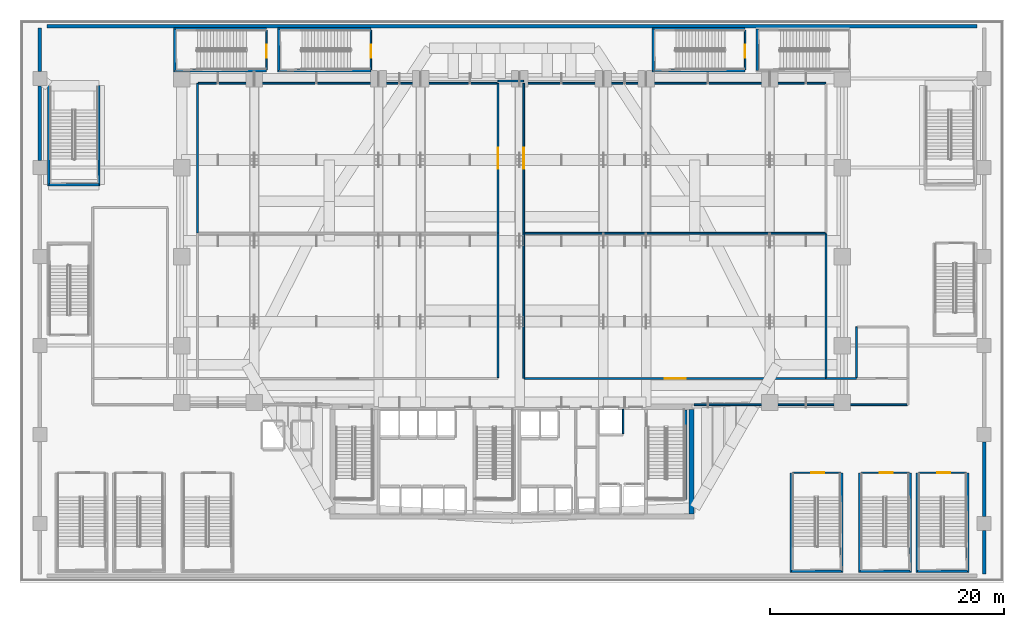
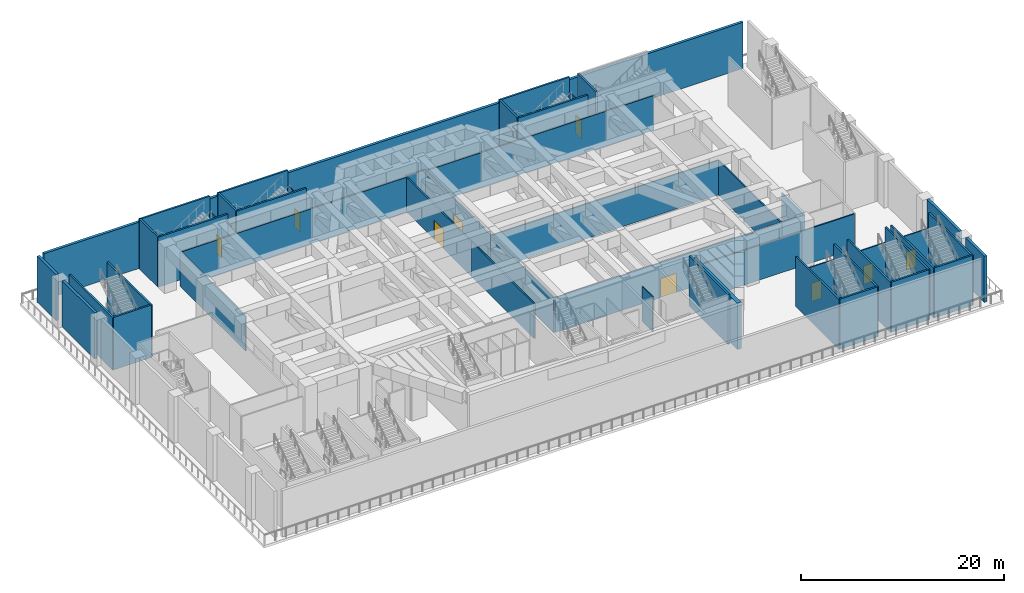
# One storey, part 11 of 27: 50 walls, 9 doors, 9 openings.
"""IFC4 building model written with IfcOpenShell, lengths in metres."""

from ifc_helpers import new_model, si_unit, direction, frame, frame_2d, origin, place, context, subcontext, project, spatial, rectangle, extrude, material, layer, layer_set, type_object, element, fill, save


model = new_model("IFC4")

# Units and contexts
model_context = context("Model", 3, precision=1e-05, world=origin(), true_north=direction((0.0, 1.0)))
body_context = subcontext(model_context, "Body", "Model", "MODEL_VIEW")
ifc_project = project(units=[si_unit("LENGTHUNIT", "METRE"), si_unit("AREAUNIT", "SQUARE_METRE"), si_unit("VOLUMEUNIT", "CUBIC_METRE"), si_unit("PLANEANGLEUNIT", "RADIAN"), si_unit("MASSUNIT", "GRAM", prefix="KILO")], contexts=[model_context])

# Site, building, storey
site_placement = place(None, origin())
site = spatial("IfcSite", under=ifc_project, at=site_placement, CompositionType="ELEMENT")
building_placement = place(site_placement, origin())
building = spatial("IfcBuilding", under=site, at=building_placement, Name="Ndaravel Arena Tower", CompositionType="ELEMENT")
storey_placement = place(building_placement, frame((0.0, 0.0, 24.0)))
storey = spatial("IfcBuildingStorey", under=building, at=storey_placement, Name="L04", CompositionType="ELEMENT", Elevation=24.0)

# Walls
ifc_material_1 = material(Name="Gypsum", Category="gypsum")
ifc_layer_1 = layer(ifc_material_1, 0.14990234375)
ifc_layer_set_1 = layer_set([ifc_layer_1], Name="Gypsum")
wall_type_1 = type_object("IfcWallType", Name="WALL-COMP-150", PredefinedType="PARTITIONING", material=ifc_layer_set_1)
wall_1_placement = place(storey_placement, frame((75.735107421875, 15.14990234375, 0.0), z_axis=(0.0, 0.0, 1.0), x_axis=(-1.0, 0.0, 0.0)))
element("IfcWall", 1, at=wall_1_placement, inside=storey, type_object=wall_type_1, Name="L04 Interior Partition 002", PredefinedType="PARTITIONING", context=body_context, shape_type="SweptSolid", body=[
    extrude(rectangle(XDim=18.18505859375, YDim=0.14990234375, at=frame_2d((9.092529296875, 0.0))), origin(), (0.0, 0.0, 1.0), 4.169921875),
])
wall_2_placement = place(storey_placement, frame((40.800048828125, 17.465087890625, 0.0), z_axis=(0.0, 0.0, 1.0), x_axis=(0.0, 1.0, 0.0)))
element("IfcWall", 2, at=wall_2_placement, inside=storey, type_object=wall_type_1, Name="L04 Interior Partition 008", PredefinedType="PARTITIONING", context=body_context, shape_type="SweptSolid", body=[
    extrude(rectangle(XDim=12.3349609375, YDim=0.14990234375, at=frame_2d((6.16748046875, 0.0))), origin(), (0.0, 0.0, 1.0), 4.169921875),
])

# Wall, opening, door
wall_3_placement = place(storey_placement, frame((40.800048828125, 29.800048828125, 0.0), z_axis=(0.0, 0.0, 1.0), x_axis=(0.0, 1.0, 0.0)))
wall_3 = element("IfcWall", 3, at=wall_3_placement, inside=storey, type_object=wall_type_1, Name="L04 Interior Partition 009", PredefinedType="PARTITIONING", context=body_context, shape_type="SweptSolid", body=[
    extrude(rectangle(XDim=12.800048828125, YDim=0.14990234375, at=frame_2d((6.39990234375, 0.0))), origin(), (0.0, 0.0, 1.0), 4.169921875),
])
opening_1_placement = place(wall_3_placement, frame((5.5, 0.0, 0.0)))
opening_1 = element("IfcOpeningElement", 4, at=opening_1_placement, cuts=wall_3, Name="Opening PD-01", PredefinedType="OPENING", context=body_context, shape_type="SweptSolid", body=[
    extrude(rectangle(XDim=1.800048828125, YDim=2.300048828125, at=frame_2d((0.89990234375, 1.14990234375))), frame((0.0, 0.074951171875, 0.0), z_axis=(0.0, -1.0, 0.0), x_axis=(1.0, 0.0, 0.0)), (0.0, 0.0, 1.0), 0.14990234375),
])
ifc_material_2 = material(Name="Steel S355", Category="steel")
door_type_1 = type_object("IfcDoorType", Name="DT-09-PLANT-1800", OperationType="DOUBLE_DOOR_SINGLE_SWING", PredefinedType="DOOR", material=ifc_material_2)
door_1_placement = place(opening_1_placement, origin())
door_1 = element("IfcDoor", 5, at=door_1_placement, inside=storey, type_object=door_type_1, Name="L04 North Bowl Smoke Extract & Fan Plant Room Door", OperationType="SINGLE_SWING_LEFT", OverallHeight=2.300048828125, OverallWidth=1.800048828125, PredefinedType="DOOR", context=body_context, shape_type="SweptSolid", body=[
    extrude(rectangle(XDim=1.800048828125, YDim=2.300048828125, at=frame_2d((0.89990234375, 1.14990234375))), frame((0.0, 0.02490234375, 0.0), z_axis=(0.0, -1.0, 0.0), x_axis=(1.0, 0.0, 0.0)), (0.0, 0.0, 1.0), 0.050048828125),
])
fill(opening_1, door_1)

# Wall
wall_4_placement = place(storey_placement, frame((40.800048828125, 42.800048828125, 0.0), z_axis=(0.0, 0.0, 1.0), x_axis=(1.0, 0.0, 0.0)))
element("IfcWall", 6, at=wall_4_placement, inside=storey, type_object=wall_type_1, Name="L04 Interior Partition 010", PredefinedType="PARTITIONING", context=body_context, shape_type="SweptSolid", body=[
    extrude(rectangle(XDim=2.199951171875, YDim=0.14990234375, at=frame_2d((1.10009765625, 0.0))), origin(), (0.0, 0.0, 1.0), 4.169921875),
])

# Wall, opening, door
wall_5_placement = place(storey_placement, frame((43.0, 42.60009765625, 0.0), z_axis=(0.0, 0.0, 1.0), x_axis=(0.0, -1.0, 0.0)))
wall_5 = element("IfcWall", 7, at=wall_5_placement, inside=storey, type_object=wall_type_1, Name="L04 Interior Partition 011", PredefinedType="PARTITIONING", context=body_context, shape_type="SweptSolid", body=[
    extrude(rectangle(XDim=12.800048828125, YDim=0.14990234375, at=frame_2d((6.39990234375, 0.0))), origin(), (0.0, 0.0, 1.0), 4.169921875),
])
opening_2_placement = place(wall_5_placement, frame((5.5, 0.0, 0.0)))
opening_2 = element("IfcOpeningElement", 8, at=opening_2_placement, cuts=wall_5, Name="Opening PD-01", PredefinedType="OPENING", context=body_context, shape_type="SweptSolid", body=[
    extrude(rectangle(XDim=1.800048828125, YDim=2.300048828125, at=frame_2d((0.89990234375, 1.14990234375))), frame((0.0, 0.074951171875, 0.0), z_axis=(0.0, -1.0, 0.0), x_axis=(1.0, 0.0, 0.0)), (0.0, 0.0, 1.0), 0.14990234375),
])
door_2_placement = place(opening_2_placement, origin())
door_2 = element("IfcDoor", 9, at=door_2_placement, inside=storey, type_object=door_type_1, Name="L04 Transfer Level HV Switchroom & Acoustic Plant Door", OperationType="SINGLE_SWING_LEFT", OverallHeight=2.300048828125, OverallWidth=1.800048828125, PredefinedType="DOOR", context=body_context, shape_type="SweptSolid", body=[
    extrude(rectangle(XDim=1.800048828125, YDim=2.300048828125, at=frame_2d((0.89990234375, 1.14990234375))), frame((0.0, 0.02490234375, 0.0), z_axis=(0.0, -1.0, 0.0), x_axis=(1.0, 0.0, 0.0)), (0.0, 0.0, 1.0), 0.050048828125),
])
fill(opening_2, door_2)

# Wall
wall_6_placement = place(storey_placement, frame((43.0, 29.800048828125, 0.0), z_axis=(0.0, 0.0, 1.0), x_axis=(0.0, -1.0, 0.0)))
element("IfcWall", 10, at=wall_6_placement, inside=storey, type_object=wall_type_1, Name="L04 Interior Partition 012", PredefinedType="PARTITIONING", context=body_context, shape_type="SweptSolid", body=[
    extrude(rectangle(XDim=12.400146484375, YDim=0.14990234375, at=frame_2d((6.2001953125, 0.0))), origin(), (0.0, 0.0, 1.0), 4.169921875),
])

# Wall, opening, door
wall_7_placement = place(storey_placement, frame((43.06494140625, 17.39990234375, 0.0), z_axis=(0.0, 0.0, 1.0), x_axis=(1.0, 0.0, 0.0)))
wall_7 = element("IfcWall", 11, at=wall_7_placement, inside=storey, type_object=wall_type_1, Name="L04 Interior Partition 013", PredefinedType="PARTITIONING", context=body_context, shape_type="SweptSolid", body=[
    extrude(rectangle(XDim=25.735107421875, YDim=0.14990234375, at=frame_2d((12.86767578125, 0.0))), origin(), (0.0, 0.0, 1.0), 4.169921875),
])
opening_3_placement = place(wall_7_placement, frame((11.967529296875, 0.0, 0.0)))
opening_3 = element("IfcOpeningElement", 12, at=opening_3_placement, cuts=wall_7, Name="Opening PD-01", PredefinedType="OPENING", context=body_context, shape_type="SweptSolid", body=[
    extrude(rectangle(XDim=1.800048828125, YDim=2.300048828125, at=frame_2d((0.89990234375, 1.14990234375))), frame((0.0, 0.074951171875, 0.0), z_axis=(0.0, -1.0, 0.0), x_axis=(1.0, 0.0, 0.0)), (0.0, 0.0, 1.0), 0.14990234375),
])
door_3_placement = place(opening_3_placement, origin())
door_3 = element("IfcDoor", 13, at=door_3_placement, inside=storey, type_object=door_type_1, Name="L04 East Chiller & Heat Recovery Plant Room Door", OperationType="SINGLE_SWING_RIGHT", OverallHeight=2.300048828125, OverallWidth=1.800048828125, PredefinedType="DOOR", context=body_context, shape_type="SweptSolid", body=[
    extrude(rectangle(XDim=1.800048828125, YDim=2.300048828125, at=frame_2d((0.89990234375, 1.14990234375))), frame((0.0, 0.02490234375, 0.0), z_axis=(0.0, -1.0, 0.0), x_axis=(1.0, 0.0, 0.0)), (0.0, 0.0, 1.0), 0.050048828125),
])
fill(opening_3, door_3)

# Walls
wall_8_placement = place(storey_placement, frame((68.800048828125, 17.39990234375, 0.0), z_axis=(0.0, 0.0, 1.0), x_axis=(1.0, 0.0, 0.0)))
element("IfcWall", 14, at=wall_8_placement, inside=storey, type_object=wall_type_1, Name="L04 Interior Partition 014", PredefinedType="PARTITIONING", context=body_context, shape_type="SweptSolid", body=[
    extrude(rectangle(XDim=2.599853515625, YDim=0.14990234375, at=frame_2d((1.2998046875, 0.0))), origin(), (0.0, 0.0, 1.0), 4.169921875),
])
wall_9_placement = place(storey_placement, frame((15.14990234375, 29.800048828125, 0.0), z_axis=(0.0, 0.0, 1.0), x_axis=(0.0, 1.0, 0.0)))
element("IfcWall", 15, at=wall_9_placement, inside=storey, type_object=wall_type_1, Name="L04 Interior Partition 021", PredefinedType="PARTITIONING", context=body_context, shape_type="SweptSolid", body=[
    extrude(rectangle(XDim=12.800048828125, YDim=0.14990234375, at=frame_2d((6.39990234375, 0.0))), origin(), (0.0, 0.0, 1.0), 4.169921875),
])
wall_10_placement = place(storey_placement, frame((15.215087890625, 42.60009765625, 0.0), z_axis=(0.0, 0.0, 1.0), x_axis=(1.0, 0.0, 0.0)))
element("IfcWall", 16, at=wall_10_placement, inside=storey, type_object=wall_type_1, Name="L04 Interior Partition 022", PredefinedType="PARTITIONING", context=body_context, shape_type="SweptSolid", body=[
    extrude(rectangle(XDim=25.52001953125, YDim=0.14990234375, at=frame_2d((12.760009765625, 0.0))), origin(), (0.0, 0.0, 1.0), 4.169921875),
])
wall_11_placement = place(storey_placement, frame((43.06494140625, 29.800048828125, 0.0), z_axis=(0.0, 0.0, 1.0), x_axis=(1.0, 0.0, 0.0)))
element("IfcWall", 17, at=wall_11_placement, inside=storey, type_object=wall_type_1, Name="L04 Interior Partition 023", PredefinedType="PARTITIONING", context=body_context, shape_type="SweptSolid", body=[
    extrude(rectangle(XDim=25.735107421875, YDim=0.14990234375, at=frame_2d((12.86767578125, 0.0))), origin(), (0.0, 0.0, 1.0), 4.169921875),
])
wall_12_placement = place(storey_placement, frame((68.800048828125, 29.735107421875, 0.0), z_axis=(0.0, 0.0, 1.0), x_axis=(0.0, -1.0, 0.0)))
element("IfcWall", 18, at=wall_12_placement, inside=storey, type_object=wall_type_1, Name="L04 Interior Partition 024", PredefinedType="PARTITIONING", context=body_context, shape_type="SweptSolid", body=[
    extrude(rectangle(XDim=12.27001953125, YDim=0.14990234375, at=frame_2d((6.135009765625, 0.0))), origin(), (0.0, 0.0, 1.0), 4.169921875),
])
wall_13_placement = place(storey_placement, frame((43.06494140625, 42.60009765625, 0.0), z_axis=(0.0, 0.0, 1.0), x_axis=(1.0, 0.0, 0.0)))
element("IfcWall", 19, at=wall_13_placement, inside=storey, type_object=wall_type_1, Name="L04 Interior Partition 025", PredefinedType="PARTITIONING", context=body_context, shape_type="SweptSolid", body=[
    extrude(rectangle(XDim=25.735107421875, YDim=0.14990234375, at=frame_2d((12.86767578125, 0.0))), origin(), (0.0, 0.0, 1.0), 4.169921875),
])
wall_14_placement = place(storey_placement, frame((71.39990234375, 17.465087890625, 0.0), z_axis=(0.0, 0.0, 1.0), x_axis=(0.0, 1.0, 0.0)))
element("IfcWall", 20, at=wall_14_placement, inside=storey, type_object=wall_type_1, Name="L04 Interior Partition 027", PredefinedType="PARTITIONING", context=body_context, shape_type="SweptSolid", body=[
    extrude(rectangle(XDim=4.3349609375, YDim=0.14990234375, at=frame_2d((2.16748046875, 0.0))), origin(), (0.0, 0.0, 1.0), 4.169921875),
])
ifc_material_3 = material(Name="Concrete C60/75", Category="concrete")
ifc_layer_2 = layer(ifc_material_3, 0.449951171875)
ifc_layer_set_2 = layer_set([ifc_layer_2], Name="Concrete C60/75")
wall_type_2 = type_object("IfcWallType", Name="WALL-CORE-450", PredefinedType="SOLIDWALL", material=ifc_layer_set_2)
wall_15_placement = place(storey_placement, frame((57.324951171875, 5.85009765625, 0.0), z_axis=(0.0, 0.0, 1.0), x_axis=(0.0, 1.0, 0.0)))
element("IfcWall", 21, at=wall_15_placement, inside=storey, type_object=wall_type_2, Name="L04 Core East Shear Wall", PredefinedType="SOLIDWALL", context=body_context, shape_type="SweptSolid", body=[
    extrude(rectangle(XDim=8.89990234375, YDim=0.449951171875, at=frame_2d((4.449951171875, 0.0))), origin(), (0.0, 0.0, 1.0), 5.550048828125),
])
ifc_material_4 = material(Name="Masonry", Category="masonry")
ifc_layer_3 = layer(ifc_material_4, 0.300048828125)
ifc_layer_set_3 = layer_set([ifc_layer_3], Name="Masonry")
wall_type_3 = type_object("IfcWallType", Name="WALL-POD-MAZERAS-300", PredefinedType="SOLIDWALL", material=ifc_layer_set_3)
wall_16_placement = place(storey_placement, frame((2.300048828125, 47.449951171875, 0.0), z_axis=(0.0, 0.0, 1.0), x_axis=(1.0, 0.0, 0.0)))
element("IfcWall", 22, at=wall_16_placement, inside=storey, type_object=wall_type_3, Name="L04 North Mazeras Facade Wall", PredefinedType="SOLIDWALL", context=body_context, shape_type="SweptSolid", body=[
    extrude(rectangle(XDim=79.39990234375, YDim=0.300048828125, at=frame_2d((39.699951171875, 0.0))), origin(), (0.0, 0.0, 1.0), 5.550048828125),
])
wall_17_placement = place(storey_placement, frame((82.300048828125, 4.39990234375, 0.0), z_axis=(0.0, 0.0, 1.0), x_axis=(0.0, -1.0, 0.0)))
element("IfcWall", 23, at=wall_17_placement, inside=storey, type_object=wall_type_3, Name="L04 East Mazeras Bay 1", PredefinedType="SOLIDWALL", context=body_context, shape_type="SweptSolid", body=[
    extrude(rectangle(XDim=3.699951171875, YDim=0.300048828125, at=frame_2d((1.85009765625, 0.0))), origin(), (0.0, 0.0, 1.0), 5.550048828125),
])
for number, where, z_axis, x_axis, name in (
    (24, (82.300048828125, 11.97998046875, 0.0), (0.0, 0.0, 1.0), (0.0, -1.0, 0.0), "L04 East Mazeras Bay 2"),
    (25, (1.699951171875, 36.02001953125, 0.0), (0.0, 0.0, 1.0), (0.0, 1.0, 0.0), "L04 West Mazeras Bay 6"),
):
    element("IfcWall", number, at=place(storey_placement, frame(where, z_axis=z_axis, x_axis=x_axis)), inside=storey, type_object=wall_type_3, Name=name, PredefinedType="SOLIDWALL", context=body_context, shape_type="SweptSolid", body=[
        extrude(rectangle(XDim=6.35986328125, YDim=0.300048828125, at=frame_2d((3.179931640625, 0.0))), origin(), (0.0, 0.0, 1.0), 5.550048828125),
    ])
wall_18_placement = place(storey_placement, frame((1.699951171875, 43.60009765625, 0.0), z_axis=(0.0, 0.0, 1.0), x_axis=(0.0, 1.0, 0.0)))
element("IfcWall", 26, at=wall_18_placement, inside=storey, type_object=wall_type_3, Name="L04 West Mazeras Bay 7", PredefinedType="SOLIDWALL", context=body_context, shape_type="SweptSolid", body=[
    extrude(rectangle(XDim=3.699951171875, YDim=0.300048828125, at=frame_2d((1.85009765625, 0.0))), origin(), (0.0, 0.0, 1.0), 5.550048828125),
])

# Wall, opening, door
ifc_material_5 = material(Name="Concrete C40/50", Category="concrete")
ifc_layer_4 = layer(ifc_material_5, 0.1201171875)
ifc_layer_set_4 = layer_set([ifc_layer_4], Name="Concrete C40/50")
wall_type_4 = type_object("IfcWallType", Name="WALL-SHAFT-120", PredefinedType="SOLIDWALL", material=ifc_layer_set_4)
wall_19_placement = place(storey_placement, frame((65.955078125, 9.35009765625, 0.0), z_axis=(0.0, 0.0, 1.0), x_axis=(1.0, 0.0, 0.0)))
wall_19 = element("IfcWall", 27, at=wall_19_placement, inside=storey, type_object=wall_type_4, Name="L04 ST-A04 Entry Wall", PredefinedType="SOLIDWALL", context=body_context, shape_type="SweptSolid", body=[
    extrude(rectangle(XDim=4.08984375, YDim=0.1201171875, at=frame_2d((2.044921875, 0.0))), origin(), (0.0, 0.0, 1.0), 4.169921875),
])
opening_4_placement = place(wall_19_placement, frame((1.60009765625, 0.0, 0.0)))
opening_4 = element("IfcOpeningElement", 28, at=opening_4_placement, cuts=wall_19, Name="Opening FD-01", PredefinedType="OPENING", context=body_context, shape_type="SweptSolid", body=[
    extrude(rectangle(XDim=1.10009765625, YDim=2.199951171875, at=frame_2d((0.550048828125, 1.10009765625))), frame((0.0, 0.06005859375, 0.0), z_axis=(0.0, -1.0, 0.0), x_axis=(1.0, 0.0, 0.0)), (0.0, 0.0, 1.0), 0.1201171875),
])
ifc_material_6 = material(Name="Steel S355", Category="steel")
door_type_2 = type_object("IfcDoorType", Name="DT-01-STAIR-1100", OperationType="SINGLE_SWING_LEFT", PredefinedType="DOOR", material=ifc_material_6)
door_4_placement = place(opening_4_placement, origin())
door_4 = element("IfcDoor", 29, at=door_4_placement, inside=storey, type_object=door_type_2, Name="L04 ST-A04 Fire Exit Stair Door", OperationType="SINGLE_SWING_LEFT", OverallHeight=2.199951171875, OverallWidth=1.10009765625, PredefinedType="DOOR", context=body_context, shape_type="SweptSolid", body=[
    extrude(rectangle(XDim=1.10009765625, YDim=2.199951171875, at=frame_2d((0.550048828125, 1.10009765625))), frame((0.0, 0.02490234375, 0.0), z_axis=(0.0, -1.0, 0.0), x_axis=(1.0, 0.0, 0.0)), (0.0, 0.0, 1.0), 0.050048828125),
])
fill(opening_4, door_4)

wall_20_placement = place(storey_placement, frame((71.804931640625, 9.35009765625, 0.0), z_axis=(0.0, 0.0, 1.0), x_axis=(1.0, 0.0, 0.0)))
wall_20 = element("IfcWall", 30, at=wall_20_placement, inside=storey, type_object=wall_type_4, Name="L04 ST-A05 Entry Wall", PredefinedType="SOLIDWALL", context=body_context, shape_type="SweptSolid", body=[
    extrude(rectangle(XDim=4.090087890625, YDim=0.1201171875, at=frame_2d((2.044921875, 0.0))), origin(), (0.0, 0.0, 1.0), 4.169921875),
])
opening_5_placement = place(wall_20_placement, frame((1.60009765625, 0.0, 0.0)))
opening_5 = element("IfcOpeningElement", 31, at=opening_5_placement, cuts=wall_20, Name="Opening FD-01", PredefinedType="OPENING", context=body_context, shape_type="SweptSolid", body=[
    extrude(rectangle(XDim=1.10009765625, YDim=2.199951171875, at=frame_2d((0.550048828125, 1.10009765625))), frame((0.0, 0.06005859375, 0.0), z_axis=(0.0, -1.0, 0.0), x_axis=(1.0, 0.0, 0.0)), (0.0, 0.0, 1.0), 0.1201171875),
])
door_5_placement = place(opening_5_placement, origin())
door_5 = element("IfcDoor", 32, at=door_5_placement, inside=storey, type_object=door_type_2, Name="L04 ST-A05 Fire Exit Stair Door", OperationType="SINGLE_SWING_LEFT", OverallHeight=2.199951171875, OverallWidth=1.10009765625, PredefinedType="DOOR", context=body_context, shape_type="SweptSolid", body=[
    extrude(rectangle(XDim=1.10009765625, YDim=2.199951171875, at=frame_2d((0.550048828125, 1.10009765625))), frame((0.0, 0.02490234375, 0.0), z_axis=(0.0, -1.0, 0.0), x_axis=(1.0, 0.0, 0.0)), (0.0, 0.0, 1.0), 0.050048828125),
])
fill(opening_5, door_5)

wall_21_placement = place(storey_placement, frame((76.705078125, 9.35009765625, 0.0), z_axis=(0.0, 0.0, 1.0), x_axis=(1.0, 0.0, 0.0)))
wall_21 = element("IfcWall", 33, at=wall_21_placement, inside=storey, type_object=wall_type_4, Name="L04 ST-A06 Entry Wall", PredefinedType="SOLIDWALL", context=body_context, shape_type="SweptSolid", body=[
    extrude(rectangle(XDim=4.08984375, YDim=0.1201171875, at=frame_2d((2.044921875, 0.0))), origin(), (0.0, 0.0, 1.0), 4.169921875),
])
opening_6_placement = place(wall_21_placement, frame((1.60009765625, 0.0, 0.0)))
opening_6 = element("IfcOpeningElement", 34, at=opening_6_placement, cuts=wall_21, Name="Opening FD-01", PredefinedType="OPENING", context=body_context, shape_type="SweptSolid", body=[
    extrude(rectangle(XDim=1.10009765625, YDim=2.199951171875, at=frame_2d((0.550048828125, 1.10009765625))), frame((0.0, 0.06005859375, 0.0), z_axis=(0.0, -1.0, 0.0), x_axis=(1.0, 0.0, 0.0)), (0.0, 0.0, 1.0), 0.1201171875),
])
door_6_placement = place(opening_6_placement, origin())
door_6 = element("IfcDoor", 35, at=door_6_placement, inside=storey, type_object=door_type_2, Name="L04 ST-A06 Fire Exit Stair Door", OperationType="SINGLE_SWING_LEFT", OverallHeight=2.199951171875, OverallWidth=1.10009765625, PredefinedType="DOOR", context=body_context, shape_type="SweptSolid", body=[
    extrude(rectangle(XDim=1.10009765625, YDim=2.199951171875, at=frame_2d((0.550048828125, 1.10009765625))), frame((0.0, 0.02490234375, 0.0), z_axis=(0.0, -1.0, 0.0), x_axis=(1.0, 0.0, 0.0)), (0.0, 0.0, 1.0), 0.050048828125),
])
fill(opening_6, door_6)

wall_22_placement = place(storey_placement, frame((21.050048828125, 47.135009765625, 0.0), z_axis=(0.0, 0.0, 1.0), x_axis=(0.0, -1.0, 0.0)))
wall_22 = element("IfcWall", 36, at=wall_22_placement, inside=storey, type_object=wall_type_4, Name="L04 ST-A08 Entry Wall", PredefinedType="SOLIDWALL", context=body_context, shape_type="SweptSolid", body=[
    extrude(rectangle(XDim=3.3701171875, YDim=0.1201171875, at=frame_2d((1.68505859375, 0.0))), origin(), (0.0, 0.0, 1.0), 4.169921875),
])
opening_7_placement = place(wall_22_placement, frame((1.239990234375, 0.0, 0.0)))
opening_7 = element("IfcOpeningElement", 37, at=opening_7_placement, cuts=wall_22, Name="Opening FD-01", PredefinedType="OPENING", context=body_context, shape_type="SweptSolid", body=[
    extrude(rectangle(XDim=1.10009765625, YDim=2.199951171875, at=frame_2d((0.550048828125, 1.10009765625))), frame((0.0, 0.06005859375, 0.0), z_axis=(0.0, -1.0, 0.0), x_axis=(1.0, 0.0, 0.0)), (0.0, 0.0, 1.0), 0.1201171875),
])
door_7_placement = place(opening_7_placement, origin())
door_7 = element("IfcDoor", 38, at=door_7_placement, inside=storey, type_object=door_type_2, Name="L04 ST-A08 Fire Exit Stair Door", OperationType="SINGLE_SWING_LEFT", OverallHeight=2.199951171875, OverallWidth=1.10009765625, PredefinedType="DOOR", context=body_context, shape_type="SweptSolid", body=[
    extrude(rectangle(XDim=1.10009765625, YDim=2.199951171875, at=frame_2d((0.550048828125, 1.10009765625))), frame((0.0, 0.02490234375, 0.0), z_axis=(0.0, -1.0, 0.0), x_axis=(1.0, 0.0, 0.0)), (0.0, 0.0, 1.0), 0.050048828125),
])
fill(opening_7, door_7)

wall_23_placement = place(storey_placement, frame((29.949951171875, 47.135009765625, 0.0), z_axis=(0.0, 0.0, 1.0), x_axis=(0.0, -1.0, 0.0)))
wall_23 = element("IfcWall", 39, at=wall_23_placement, inside=storey, type_object=wall_type_4, Name="L04 ST-A09 Entry Wall", PredefinedType="SOLIDWALL", context=body_context, shape_type="SweptSolid", body=[
    extrude(rectangle(XDim=3.3701171875, YDim=0.1201171875, at=frame_2d((1.68505859375, 0.0))), origin(), (0.0, 0.0, 1.0), 4.169921875),
])
opening_8_placement = place(wall_23_placement, frame((1.239990234375, 0.0, 0.0)))
opening_8 = element("IfcOpeningElement", 40, at=opening_8_placement, cuts=wall_23, Name="Opening FD-01", PredefinedType="OPENING", context=body_context, shape_type="SweptSolid", body=[
    extrude(rectangle(XDim=1.10009765625, YDim=2.199951171875, at=frame_2d((0.550048828125, 1.10009765625))), frame((0.0, 0.06005859375, 0.0), z_axis=(0.0, -1.0, 0.0), x_axis=(1.0, 0.0, 0.0)), (0.0, 0.0, 1.0), 0.1201171875),
])
door_8_placement = place(opening_8_placement, origin())
door_8 = element("IfcDoor", 41, at=door_8_placement, inside=storey, type_object=door_type_2, Name="L04 ST-A09 Fire Exit Stair Door", OperationType="SINGLE_SWING_LEFT", OverallHeight=2.199951171875, OverallWidth=1.10009765625, PredefinedType="DOOR", context=body_context, shape_type="SweptSolid", body=[
    extrude(rectangle(XDim=1.10009765625, YDim=2.199951171875, at=frame_2d((0.550048828125, 1.10009765625))), frame((0.0, 0.02490234375, 0.0), z_axis=(0.0, -1.0, 0.0), x_axis=(1.0, 0.0, 0.0)), (0.0, 0.0, 1.0), 0.050048828125),
])
fill(opening_8, door_8)

wall_24_placement = place(storey_placement, frame((61.89990234375, 47.135009765625, 0.0), z_axis=(0.0, 0.0, 1.0), x_axis=(0.0, -1.0, 0.0)))
wall_24 = element("IfcWall", 42, at=wall_24_placement, inside=storey, type_object=wall_type_4, Name="L04 ST-A10 Entry Wall", PredefinedType="SOLIDWALL", context=body_context, shape_type="SweptSolid", body=[
    extrude(rectangle(XDim=3.3701171875, YDim=0.1201171875, at=frame_2d((1.68505859375, 0.0))), origin(), (0.0, 0.0, 1.0), 4.169921875),
])
opening_9_placement = place(wall_24_placement, frame((1.239990234375, 0.0, 0.0)))
opening_9 = element("IfcOpeningElement", 43, at=opening_9_placement, cuts=wall_24, Name="Opening FD-01", PredefinedType="OPENING", context=body_context, shape_type="SweptSolid", body=[
    extrude(rectangle(XDim=1.10009765625, YDim=2.199951171875, at=frame_2d((0.550048828125, 1.10009765625))), frame((0.0, 0.06005859375, 0.0), z_axis=(0.0, -1.0, 0.0), x_axis=(1.0, 0.0, 0.0)), (0.0, 0.0, 1.0), 0.1201171875),
])
door_9_placement = place(opening_9_placement, origin())
door_9 = element("IfcDoor", 44, at=door_9_placement, inside=storey, type_object=door_type_2, Name="L04 ST-A10 Fire Exit Stair Door", OperationType="SINGLE_SWING_LEFT", OverallHeight=2.199951171875, OverallWidth=1.10009765625, PredefinedType="DOOR", context=body_context, shape_type="SweptSolid", body=[
    extrude(rectangle(XDim=1.10009765625, YDim=2.199951171875, at=frame_2d((0.550048828125, 1.10009765625))), frame((0.0, 0.02490234375, 0.0), z_axis=(0.0, -1.0, 0.0), x_axis=(1.0, 0.0, 0.0)), (0.0, 0.0, 1.0), 0.050048828125),
])
fill(opening_9, door_9)

# Walls
wall_25_placement = place(storey_placement, frame((51.47998046875, 12.68994140625, 0.0), z_axis=(0.0, 0.0, 1.0), x_axis=(0.0, 1.0, 0.0)))
element("IfcWall", 45, at=wall_25_placement, inside=storey, type_object=wall_type_4, Name="L04 SVL-1 Shaft E Wall", PredefinedType="SOLIDWALL", context=body_context, shape_type="SweptSolid", body=[
    extrude(rectangle(XDim=2.070068359375, YDim=0.1201171875, at=frame_2d((1.03515625, 0.0))), origin(), (0.0, 0.0, 1.0), 4.169921875),
])
ifc_material_7 = material(Name="Concrete C40/50", Category="concrete")
ifc_layer_5 = layer(ifc_material_7, 0.199951171875)
ifc_layer_set_5 = layer_set([ifc_layer_5], Name="Concrete C40/50")
wall_type_5 = type_object("IfcWallType", Name="WALL-SHAFT-200", PredefinedType="SOLIDWALL", material=ifc_layer_set_5)
wall_26_placement = place(storey_placement, frame((56.840087890625, 14.699951171875, 0.0), z_axis=(0.0, 0.0, 1.0), x_axis=(0.0, -1.0, 0.0)))
element("IfcWall", 46, at=wall_26_placement, inside=storey, type_object=wall_type_5, Name="L04 ST-3 Structural Shaft Wall Right", PredefinedType="SOLIDWALL", context=body_context, shape_type="SweptSolid", body=[
    extrude(rectangle(XDim=7.64990234375, YDim=0.199951171875, at=frame_2d((3.824951171875, 0.0))), origin(), (0.0, 0.0, 1.0), 6.0),
])
for number, where, z_axis, x_axis, name in (
    (47, (65.85009765625, 9.35009765625, 0.0), (0.0, 0.0, 1.0), (0.0, -1.0, 0.0), "L04 ST-A04 Shaft Wall Left"),
    (48, (70.14990234375, 9.35009765625, 0.0), (0.0, 0.0, 1.0), (0.0, -1.0, 0.0), "L04 ST-A04 Shaft Wall Right"),
):
    element("IfcWall", number, at=place(storey_placement, frame(where, z_axis=z_axis, x_axis=x_axis)), inside=storey, type_object=wall_type_5, Name=name, PredefinedType="SOLIDWALL", context=body_context, shape_type="SweptSolid", body=[
        extrude(rectangle(XDim=8.5, YDim=0.199951171875, at=frame_2d((4.25, 0.0))), origin(), (0.0, 0.0, 1.0), 6.0),
    ])
wall_27_placement = place(storey_placement, frame((65.860107421875, 0.949951171875, 0.0), z_axis=(0.0, 0.0, 1.0), x_axis=(1.0, 0.0, 0.0)))
element("IfcWall", 49, at=wall_27_placement, inside=storey, type_object=wall_type_5, Name="L04 ST-A04 Shaft Wall Far", PredefinedType="SOLIDWALL", context=body_context, shape_type="SweptSolid", body=[
    extrude(rectangle(XDim=4.27978515625, YDim=0.199951171875, at=frame_2d((2.139892578125, 0.0))), origin(), (0.0, 0.0, 1.0), 6.0),
])
for number, where, z_axis, x_axis, name in (
    (50, (71.699951171875, 9.35009765625, 0.0), (0.0, 0.0, 1.0), (0.0, -1.0, 0.0), "L04 ST-A05 Shaft Wall Left"),
    (51, (76.0, 9.35009765625, 0.0), (0.0, 0.0, 1.0), (0.0, -1.0, 0.0), "L04 ST-A05 Shaft Wall Right"),
):
    element("IfcWall", number, at=place(storey_placement, frame(where, z_axis=z_axis, x_axis=x_axis)), inside=storey, type_object=wall_type_5, Name=name, PredefinedType="SOLIDWALL", context=body_context, shape_type="SweptSolid", body=[
        extrude(rectangle(XDim=8.5, YDim=0.199951171875, at=frame_2d((4.25, 0.0))), origin(), (0.0, 0.0, 1.0), 6.0),
    ])
wall_28_placement = place(storey_placement, frame((71.7099609375, 0.949951171875, 0.0), z_axis=(0.0, 0.0, 1.0), x_axis=(1.0, 0.0, 0.0)))
element("IfcWall", 52, at=wall_28_placement, inside=storey, type_object=wall_type_5, Name="L04 ST-A05 Shaft Wall Far", PredefinedType="SOLIDWALL", context=body_context, shape_type="SweptSolid", body=[
    extrude(rectangle(XDim=4.280029296875, YDim=0.199951171875, at=frame_2d((2.14013671875, 0.0))), origin(), (0.0, 0.0, 1.0), 6.0),
])
for number, where, z_axis, x_axis, name in (
    (53, (76.60009765625, 9.35009765625, 0.0), (0.0, 0.0, 1.0), (0.0, -1.0, 0.0), "L04 ST-A06 Shaft Wall Left"),
    (54, (80.89990234375, 9.35009765625, 0.0), (0.0, 0.0, 1.0), (0.0, -1.0, 0.0), "L04 ST-A06 Shaft Wall Right"),
):
    element("IfcWall", number, at=place(storey_placement, frame(where, z_axis=z_axis, x_axis=x_axis)), inside=storey, type_object=wall_type_5, Name=name, PredefinedType="SOLIDWALL", context=body_context, shape_type="SweptSolid", body=[
        extrude(rectangle(XDim=8.5, YDim=0.199951171875, at=frame_2d((4.25, 0.0))), origin(), (0.0, 0.0, 1.0), 6.0),
    ])
wall_29_placement = place(storey_placement, frame((76.610107421875, 0.949951171875, 0.0), z_axis=(0.0, 0.0, 1.0), x_axis=(1.0, 0.0, 0.0)))
element("IfcWall", 55, at=wall_29_placement, inside=storey, type_object=wall_type_5, Name="L04 ST-A06 Shaft Wall Far", PredefinedType="SOLIDWALL", context=body_context, shape_type="SweptSolid", body=[
    extrude(rectangle(XDim=4.27978515625, YDim=0.199951171875, at=frame_2d((2.139892578125, 0.0))), origin(), (0.0, 0.0, 1.0), 6.0),
])
for number, where, z_axis, x_axis, name in (
    (56, (21.050048828125, 47.239990234375, 0.0), (0.0, 0.0, 1.0), (-1.0, 0.0, 0.0), "L04 ST-A08 Shaft Wall Left"),
    (57, (21.050048828125, 43.659912109375, 0.0), (0.0, 0.0, 1.0), (-1.0, 0.0, 0.0), "L04 ST-A08 Shaft Wall Right"),
):
    element("IfcWall", number, at=place(storey_placement, frame(where, z_axis=z_axis, x_axis=x_axis)), inside=storey, type_object=wall_type_5, Name=name, PredefinedType="SOLIDWALL", context=body_context, shape_type="SweptSolid", body=[
        extrude(rectangle(XDim=7.949951171875, YDim=0.199951171875, at=frame_2d((3.97509765625, 0.0))), origin(), (0.0, 0.0, 1.0), 6.0),
    ])
wall_30_placement = place(storey_placement, frame((13.199951171875, 47.22998046875, 0.0), z_axis=(0.0, 0.0, 1.0), x_axis=(0.0, -1.0, 0.0)))
element("IfcWall", 58, at=wall_30_placement, inside=storey, type_object=wall_type_5, Name="L04 ST-A08 Shaft Wall Far", PredefinedType="SOLIDWALL", context=body_context, shape_type="SweptSolid", body=[
    extrude(rectangle(XDim=3.56005859375, YDim=0.199951171875, at=frame_2d((1.780029296875, 0.0))), origin(), (0.0, 0.0, 1.0), 6.0),
])
for number, where, z_axis, x_axis, name in (
    (59, (29.949951171875, 47.239990234375, 0.0), (0.0, 0.0, 1.0), (-1.0, 0.0, 0.0), "L04 ST-A09 Shaft Wall Left"),
    (60, (29.949951171875, 43.659912109375, 0.0), (0.0, 0.0, 1.0), (-1.0, 0.0, 0.0), "L04 ST-A09 Shaft Wall Right"),
):
    element("IfcWall", number, at=place(storey_placement, frame(where, z_axis=z_axis, x_axis=x_axis)), inside=storey, type_object=wall_type_5, Name=name, PredefinedType="SOLIDWALL", context=body_context, shape_type="SweptSolid", body=[
        extrude(rectangle(XDim=7.949951171875, YDim=0.199951171875, at=frame_2d((3.97509765625, 0.0))), origin(), (0.0, 0.0, 1.0), 6.0),
    ])
wall_31_placement = place(storey_placement, frame((22.10009765625, 47.22998046875, 0.0), z_axis=(0.0, 0.0, 1.0), x_axis=(0.0, -1.0, 0.0)))
element("IfcWall", 61, at=wall_31_placement, inside=storey, type_object=wall_type_5, Name="L04 ST-A09 Shaft Wall Far", PredefinedType="SOLIDWALL", context=body_context, shape_type="SweptSolid", body=[
    extrude(rectangle(XDim=3.56005859375, YDim=0.199951171875, at=frame_2d((1.780029296875, 0.0))), origin(), (0.0, 0.0, 1.0), 6.0),
])
for number, where, z_axis, x_axis, name in (
    (62, (61.89990234375, 47.239990234375, 0.0), (0.0, 0.0, 1.0), (-1.0, 0.0, 0.0), "L04 ST-A10 Shaft Wall Left"),
    (63, (61.89990234375, 43.659912109375, 0.0), (0.0, 0.0, 1.0), (-1.0, 0.0, 0.0), "L04 ST-A10 Shaft Wall Right"),
):
    element("IfcWall", number, at=place(storey_placement, frame(where, z_axis=z_axis, x_axis=x_axis)), inside=storey, type_object=wall_type_5, Name=name, PredefinedType="SOLIDWALL", context=body_context, shape_type="SweptSolid", body=[
        extrude(rectangle(XDim=7.949951171875, YDim=0.199951171875, at=frame_2d((3.97509765625, 0.0))), origin(), (0.0, 0.0, 1.0), 6.0),
    ])
for number, where, z_axis, x_axis, name in (
    (64, (54.050048828125, 47.22998046875, 0.0), (0.0, 0.0, 1.0), (0.0, -1.0, 0.0), "L04 ST-A10 Shaft Wall Far"),
    (65, (62.949951171875, 47.22998046875, 0.0), (0.0, 0.0, 1.0), (0.0, -1.0, 0.0), "L04 ST-A11 Shaft Wall Far"),
):
    element("IfcWall", number, at=place(storey_placement, frame(where, z_axis=z_axis, x_axis=x_axis)), inside=storey, type_object=wall_type_5, Name=name, PredefinedType="SOLIDWALL", context=body_context, shape_type="SweptSolid", body=[
        extrude(rectangle(XDim=3.56005859375, YDim=0.199951171875, at=frame_2d((1.780029296875, 0.0))), origin(), (0.0, 0.0, 1.0), 6.0),
    ])
for number, where, z_axis, x_axis, name in (
    (66, (2.449951171875, 42.39990234375, -0.300048828125), (0.0, 0.0, 1.0), (0.0, -1.0, 0.0), "L04 ST-GDN-1 Shaft Wall Left"),
    (67, (6.75, 42.39990234375, -0.300048828125), (0.0, 0.0, 1.0), (0.0, -1.0, 0.0), "L04 ST-GDN-1 Shaft Wall Right"),
):
    element("IfcWall", number, at=place(storey_placement, frame(where, z_axis=z_axis, x_axis=x_axis)), inside=storey, type_object=wall_type_5, Name=name, PredefinedType="SOLIDWALL", context=body_context, shape_type="SweptSolid", body=[
        extrude(rectangle(XDim=8.5498046875, YDim=0.199951171875, at=frame_2d((4.27490234375, 0.0))), origin(), (0.0, 0.0, 1.0), 6.300048828125),
    ])
wall_32_placement = place(storey_placement, frame((2.4599609375, 33.949951171875, -0.300048828125), z_axis=(0.0, 0.0, 1.0), x_axis=(1.0, 0.0, 0.0)))
element("IfcWall", 68, at=wall_32_placement, inside=storey, type_object=wall_type_5, Name="L04 ST-GDN-1 Shaft Wall Far", PredefinedType="SOLIDWALL", context=body_context, shape_type="SweptSolid", body=[
    extrude(rectangle(XDim=4.280029296875, YDim=0.199951171875, at=frame_2d((2.14013671875, 0.0))), origin(), (0.0, 0.0, 1.0), 6.300048828125),
])

save(model, "model.ifc")
